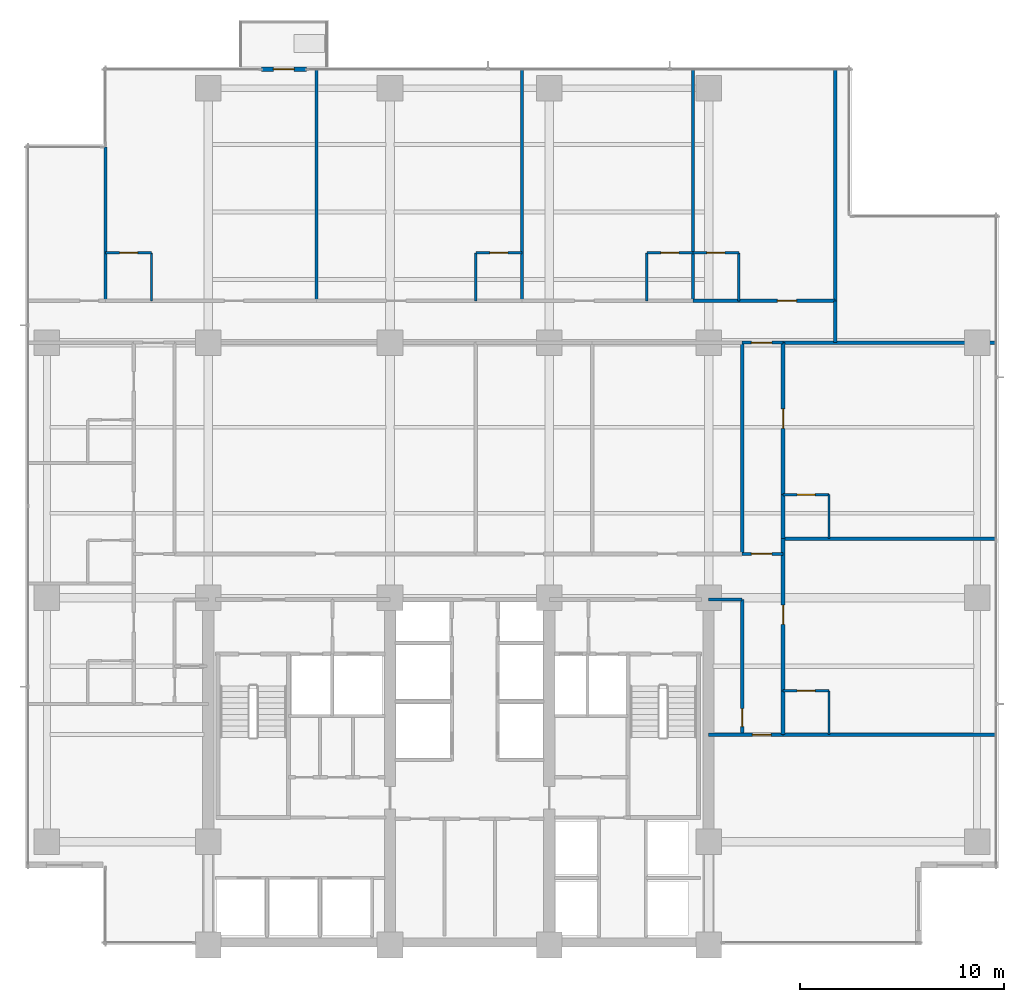
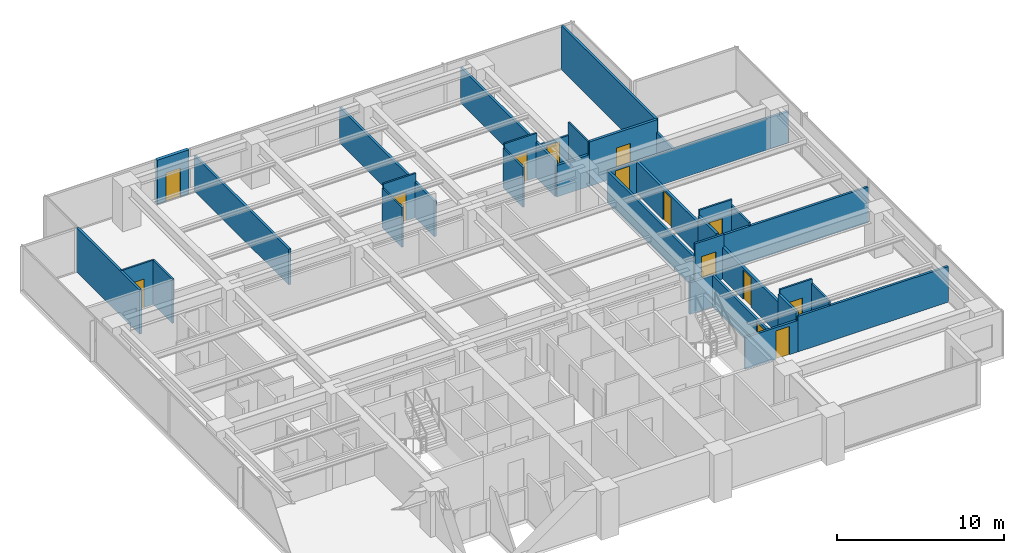
# One storey, part 11 of 18: 34 walls, 14 doors, 14 openings.
"""IFC4 building model written with IfcOpenShell, lengths in metres."""

import ifcopenshell
import ifcopenshell.guid

model = None  # the IFC model being written
_history = None  # IfcOwnerHistory: only IFC2X3 demands one
_inside = {}  # id of a spatial element -> (the spatial element, [elements in it])
_under = {}  # id of a project, library or spatial element -> (it, [spatial elements below it])
_declared = {}  # id of a project -> (the project, [libraries it declares])
_typed = {}  # id of a type object -> (the type object, [elements of that type])
_made_of = {}  # id of a material, layer set ... -> (it, [elements and type objects made of it])


def new_model(schema):
    """Start an empty IFC model of exactly this schema.

    Asked for "IFC4X3", IfcOpenShell would pick the latest addendum, in which some entities
    have other attributes; the version numbers below select the first issue.
    IFC2X3 requires an IfcOwnerHistory on every rooted entity: one is made here for all.
    """
    global model, _history
    if schema == "IFC4X3":
        model = ifcopenshell.file(schema_version=(4, 3, 0, 0))
    else:
        model = ifcopenshell.file(schema=schema)
    _inside.clear()
    _under.clear()
    _declared.clear()
    _typed.clear()
    _made_of.clear()
    _history = None
    if model.schema == "IFC2X3":
        org = make("IfcOrganization", Name="unknown")
        user = make(
            "IfcPersonAndOrganization",
            ThePerson=make("IfcPerson", FamilyName="unknown"),
            TheOrganization=org,
        )
        app = make(
            "IfcApplication",
            ApplicationDeveloper=org,
            Version="unknown",
            ApplicationFullName="unknown",
            ApplicationIdentifier="unknown",
        )
        _history = make(
            "IfcOwnerHistory",
            OwningUser=user,
            OwningApplication=app,
            ChangeAction="ADDED",
            CreationDate=0,
        )
    return model


def make(cls, **values):
    """One entity of the class cls with the attributes given. An attribute that is None is left unset."""
    return model.create_entity(
        cls, **{name: value for name, value in values.items() if value is not None}
    )


def rooted(cls, **values):
    """An entity with a GlobalId (a new one), such as an element, a storey or a relation."""
    return make(cls, GlobalId=ifcopenshell.guid.new(), OwnerHistory=_history, **values)


def si_unit(unit_type, name, prefix=None):
    """IfcSIUnit, for example si_unit("LENGTHUNIT", "METRE", prefix="MILLI")."""
    return make("IfcSIUnit", UnitType=unit_type, Prefix=prefix, Name=name)


def assignment(units):
    """IfcUnitAssignment: the units of a project."""
    return None if units is None else make("IfcUnitAssignment", Units=units)


def point(xyz):
    """IfcCartesianPoint."""
    return None if xyz is None else make("IfcCartesianPoint", Coordinates=xyz)


def direction(xyz):
    """IfcDirection."""
    return None if xyz is None else make("IfcDirection", DirectionRatios=xyz)


def frame(location, z_axis=None, x_axis=None):
    """IfcAxis2Placement3D, a coordinate frame: its origin and axes. An axis left out is left unset."""
    return make(
        "IfcAxis2Placement3D",
        Location=point(location),
        Axis=direction(z_axis),
        RefDirection=direction(x_axis),
    )


def frame_2d(location, x_axis=None):
    """IfcAxis2Placement2D, a coordinate frame in the plane: its origin and x axis."""
    return make(
        "IfcAxis2Placement2D", Location=point(location), RefDirection=direction(x_axis)
    )


def origin():
    """The frame at (0, 0, 0) with its axes left unset."""
    return frame((0.0, 0.0, 0.0))


def place(relative_to, where):
    """IfcLocalPlacement: puts the frame where relative to a parent placement (None: the world)."""
    return make(
        "IfcLocalPlacement", PlacementRelTo=relative_to, RelativePlacement=where
    )


def context(
    kind, dimensions, precision=None, world=None, true_north=None, identifier=None
):
    """IfcGeometricRepresentationContext, for example the 3D "Model" context."""
    return make(
        "IfcGeometricRepresentationContext",
        ContextIdentifier=identifier,
        ContextType=kind,
        CoordinateSpaceDimension=dimensions,
        Precision=precision,
        WorldCoordinateSystem=world,
        TrueNorth=true_north,
    )


def subcontext(parent, identifier, kind, view, scale=None):
    """IfcGeometricRepresentationSubContext, for example "Body" below "Model"."""
    return make(
        "IfcGeometricRepresentationSubContext",
        ContextIdentifier=identifier,
        ContextType=kind,
        ParentContext=parent,
        TargetScale=scale,
        TargetView=view,
    )


def project(units=None, contexts=None):
    """IfcProject with its units and contexts."""
    return rooted(
        "IfcProject",
        Name="project",
        RepresentationContexts=contexts,
        UnitsInContext=assignment(units),
    )


def spatial(cls, under=None, at=None, **own):
    """A site, building, storey or space (cls), placed at a placement, below another one or the project."""
    s = rooted(cls, ObjectPlacement=at, **own)
    if under is not None:
        _under.setdefault(under.id(), (under, []))[1].append(s)
    return s


def profile(cls, at=None, kind="AREA", **sizes):
    """A parametric profile (cls). Its sizes go by their IFC names, for example OverallWidth=200.0."""
    return make(cls, ProfileType=kind, Position=at, **sizes)


def rectangle(**sizes):
    """IfcRectangleProfileDef."""
    return profile("IfcRectangleProfileDef", **sizes)


def extrude(swept, where, along, depth):
    """IfcExtrudedAreaSolid: the profile swept, set in the frame where, extruded along a direction by depth."""
    return make(
        "IfcExtrudedAreaSolid",
        SweptArea=swept,
        Position=where,
        ExtrudedDirection=direction(along),
        Depth=depth,
    )


def shape(context_of_items, identifier, shape_type, items):
    """IfcShapeRepresentation: the items that make up one representation, for example the "Body"."""
    return make(
        "IfcShapeRepresentation",
        ContextOfItems=context_of_items,
        RepresentationIdentifier=identifier,
        RepresentationType=shape_type,
        Items=items,
    )


def material(Name=None, Category=None):
    """IfcMaterial."""
    return make("IfcMaterial", Name=Name, Category=Category)


def layer(
    of_material, thickness, ventilated=None, Name=None, Category=None, Priority=None
):
    """IfcMaterialLayer: one layer of a wall or slab, of a material (None: an air gap)."""
    return make(
        "IfcMaterialLayer",
        Material=of_material,
        LayerThickness=thickness,
        IsVentilated=ventilated,
        Name=Name,
        Category=Category,
        Priority=Priority,
    )


def layer_set(layers, Name=None):
    """IfcMaterialLayerSet."""
    return make("IfcMaterialLayerSet", MaterialLayers=layers, LayerSetName=Name)


def made_of(thing, what):
    """Note that an element or type object is made of a material, layer set ...; save() writes the relation."""
    if what is not None:
        _made_of.setdefault(what.id(), (what, []))[1].append(thing)
    return thing


def type_object(cls, material=None, **own):
    """A type object (cls), such as IfcWallType, which elements share."""
    return made_of(rooted(cls, **own), material)


def element(
    cls,
    number,
    at=None,
    inside=None,
    cuts=None,
    type_object=None,
    material=None,
    context=None,
    identifier="Body",
    shape_type=None,
    held_by="IfcProductDefinitionShape",
    body=None,
    shapes=None,
    **own,
):
    """One element of the class cls, such as IfcWall. Its Tag is "e" and its number.

    at: its placement. inside: the storey or other place that contains it. cuts: it is an
    opening in that element (IfcRelVoidsElement). A single representation is given by context,
    identifier, shape_type and body (its items); several are given by shapes. held_by: the class
    of the entity that holds the representations. save() writes the other relations.
    """
    e = rooted(cls, Tag="e%d" % number, ObjectPlacement=at, **own)
    if body is not None:
        shapes = [shape(context, identifier, shape_type, body)]
    if shapes is not None:
        e.Representation = make(held_by, Representations=shapes)
    if inside is not None:
        _inside.setdefault(inside.id(), (inside, []))[1].append(e)
    if cuts is not None:
        rooted(
            "IfcRelVoidsElement", RelatingBuildingElement=cuts, RelatedOpeningElement=e
        )
    if type_object is not None:
        _typed.setdefault(type_object.id(), (type_object, []))[1].append(e)
    return made_of(e, material)


def fill(opening, filler):
    """IfcRelFillsElement: the door or window that sits in an opening."""
    return rooted(
        "IfcRelFillsElement",
        RelatingOpeningElement=opening,
        RelatedBuildingElement=filler,
    )


def aggregate(whole, parts):
    """IfcRelAggregates: a whole, such as a stair, and the parts it consists of."""
    return rooted("IfcRelAggregates", RelatingObject=whole, RelatedObjects=parts)


def save(model, path):
    """Write the relations noted so far, then the file.

    IfcRelAggregates (storeys below a building ...), IfcRelContainedInSpatialStructure (elements
    in a storey), IfcRelDefinesByType, IfcRelAssociatesMaterial and IfcRelDeclares: one each for
    every whole, place, type object, material and project.
    """
    for whole, parts in _under.values():
        aggregate(whole, parts)
    for where, things in _inside.values():
        rooted(
            "IfcRelContainedInSpatialStructure",
            RelatedElements=things,
            RelatingStructure=where,
        )
    for kind, things in _typed.values():
        rooted("IfcRelDefinesByType", RelatedObjects=things, RelatingType=kind)
    for what, things in _made_of.values():
        rooted("IfcRelAssociatesMaterial", RelatedObjects=things, RelatingMaterial=what)
    for by, libraries in _declared.values():
        rooted("IfcRelDeclares", RelatingContext=by, RelatedDefinitions=libraries)
    model.write(path)


model = new_model("IFC4")

# Units and contexts
model_context = context("Model", 3, precision=1e-05, world=origin(), true_north=direction((0.0, 1.0)))
body_context = subcontext(model_context, "Body", "Model", "MODEL_VIEW")
ifc_project = project(units=[si_unit("LENGTHUNIT", "METRE"), si_unit("AREAUNIT", "SQUARE_METRE"), si_unit("VOLUMEUNIT", "CUBIC_METRE"), si_unit("PLANEANGLEUNIT", "RADIAN"), si_unit("MASSUNIT", "GRAM", prefix="KILO")], contexts=[model_context])

# Site, building, storey
site_placement = place(None, origin())
site = spatial("IfcSite", under=ifc_project, at=site_placement, CompositionType="ELEMENT")
building_placement = place(site_placement, origin())
building = spatial("IfcBuilding", under=site, at=building_placement, Name="Qalmaran Belvedere Hotel", CompositionType="ELEMENT")
storey_placement = place(building_placement, frame((0.0, 0.0, 95.199951171875)))
storey = spatial("IfcBuildingStorey", under=building, at=storey_placement, Name="L23", CompositionType="ELEMENT", Elevation=95.199951171875)

# Wall, opening, door
ifc_material_1 = material(Name="Anodised Bronze Cladding")
ifc_layer_1 = layer(ifc_material_1, 0.22509765625, Name="Anodised Bronze Cladding")
ifc_layer_set_1 = layer_set([ifc_layer_1], Name="Anodised Bronze Cladding")
wall_type_1 = type_object("IfcWallType", Name="WL-BAL-PORT-225", PredefinedType="SOLIDWALL", material=ifc_layer_set_1)
wall_1_placement = place(storey_placement, frame((22.89990234375, 46.3798828125, 0.0), z_axis=(0.0, 0.0, 1.0), x_axis=(1.0, 0.0, 0.0)))
wall_1 = element("IfcWall", 1, at=wall_1_placement, inside=storey, type_object=wall_type_1, Name="L23 Tree Balcony Door Portal", PredefinedType="SOLIDWALL", context=body_context, shape_type="SweptSolid", body=[
    extrude(rectangle(XDim=2.2001953125, YDim=0.22509765625, at=frame_2d((1.10009765625, 0.0))), origin(), (0.0, 0.0, 1.0), 3.239990234375),
])
opening_1_placement = place(wall_1_placement, frame((0.590087890625, 0.0, 0.0)))
opening_1 = element("IfcOpeningElement", 2, at=opening_1_placement, cuts=wall_1, Name="Opening BL-102", PredefinedType="OPENING", context=body_context, shape_type="SweptSolid", body=[
    extrude(rectangle(XDim=1.02001953125, YDim=2.10009765625, at=frame_2d((0.510009765625, 1.050048828125))), frame((0.0, 0.12255859375, 0.0), z_axis=(0.0, -1.0, 0.0), x_axis=(1.0, 0.0, 0.0)), (0.0, 0.0, 1.0), 0.2451171875),
])
ifc_material_2 = material(Name="Anodised Bronze Aluminium", Category="aluminium")
door_type_1 = type_object("IfcDoorType", Name="DR-BAL-1020X2100", OperationType="NOTDEFINED", PredefinedType="DOOR", material=ifc_material_2)
door_1_placement = place(opening_1_placement, origin())
door_1 = element("IfcDoor", 3, at=door_1_placement, inside=storey, type_object=door_type_1, Name="L23 Planted Tree Balcony Door", OperationType="SINGLE_SWING_RIGHT", OverallHeight=2.10009765625, OverallWidth=1.02001953125, PredefinedType="DOOR", context=body_context, shape_type="SweptSolid", body=[
    extrude(rectangle(XDim=1.02001953125, YDim=2.10009765625, at=frame_2d((0.510009765625, 1.050048828125))), frame((0.0, 0.02490234375, 0.0), z_axis=(0.0, -1.0, 0.0), x_axis=(1.0, 0.0, 0.0)), (0.0, 0.0, 1.0), 0.050048828125),
])
fill(opening_1, door_1)

ifc_material_3 = material(Name="Moisture-Resistant Gypsum")
ifc_layer_2 = layer(ifc_material_3, 0.1201171875, Name="Moisture-Resistant Gypsum")
ifc_layer_set_2 = layer_set([ifc_layer_2], Name="Moisture-Resistant Gypsum")
wall_type_2 = type_object("IfcWallType", Name="WL-INT-120-BATH", PredefinedType="PARTITIONING", material=ifc_layer_set_2)
wall_2_placement = place(storey_placement, frame((15.27001953125, 37.39990234375, 0.0), z_axis=(0.0, 0.0, 1.0), x_axis=(1.0, 0.0, 0.0)))
wall_2 = element("IfcWall", 4, at=wall_2_placement, inside=storey, type_object=wall_type_2, Name="L23 Partition WL-L23-NBN00", PredefinedType="PARTITIONING", context=body_context, shape_type="SweptSolid", body=[
    extrude(rectangle(XDim=2.25, YDim=0.1201171875, at=frame_2d((1.125, 0.0))), origin(), (0.0, 0.0, 1.0), 3.239990234375),
])
opening_2_placement = place(wall_2_placement, frame((1.56494140625, 0.0, 0.0), z_axis=(0.0, 0.0, 1.0), x_axis=(-1.0, 0.0, 0.0)))
opening_2 = element("IfcOpeningElement", 5, at=opening_2_placement, cuts=wall_2, Name="Opening D-BATH", PredefinedType="OPENING", context=body_context, shape_type="SweptSolid", body=[
    extrude(rectangle(XDim=0.8798828125, YDim=2.080078125, at=frame_2d((0.43994140625, 1.0400390625))), frame((0.0, 0.070068359375, 0.0), z_axis=(0.0, -1.0, 0.0), x_axis=(1.0, 0.0, 0.0)), (0.0, 0.0, 1.0), 0.14013671875),
])
ifc_material_4 = material(Name="Engineered Oak Veneer")
door_type_2 = type_object("IfcDoorType", Name="DR-INT-BATH-880X2080", OperationType="NOTDEFINED", PredefinedType="DOOR", material=ifc_material_4)
door_2_placement = place(opening_2_placement, origin())
door_2 = element("IfcDoor", 6, at=door_2_placement, inside=storey, type_object=door_type_2, Name="L23 Ensuite Bathroom Door N01", OperationType="SINGLE_SWING_LEFT", OverallHeight=2.080078125, OverallWidth=0.8798828125, PredefinedType="DOOR", context=body_context, shape_type="SweptSolid", body=[
    extrude(rectangle(XDim=0.8798828125, YDim=2.080078125, at=frame_2d((0.43994140625, 1.0400390625))), frame((0.0, 0.02490234375, 0.0), z_axis=(0.0, -1.0, 0.0), x_axis=(1.0, 0.0, 0.0)), (0.0, 0.0, 1.0), 0.050048828125),
])
fill(opening_2, door_2)

# Wall
wall_3_placement = place(storey_placement, frame((17.52001953125, 35.050048828125, 0.0), z_axis=(0.0, 0.0, 1.0), x_axis=(0.0, 1.0, 0.0)))
element("IfcWall", 7, at=wall_3_placement, inside=storey, type_object=wall_type_2, Name="L23 Partition WL-L23-NBS00", PredefinedType="PARTITIONING", context=body_context, shape_type="SweptSolid", body=[
    extrude(rectangle(XDim=2.349853515625, YDim=0.1201171875, at=frame_2d((1.1748046875, 0.0))), origin(), (0.0, 0.0, 1.0), 3.239990234375),
])

# Wall, opening, door
wall_4_placement = place(storey_placement, frame((33.40966796875, 37.39990234375, 0.0), z_axis=(0.0, 0.0, 1.0), x_axis=(1.0, 0.0, 0.0)))
wall_4 = element("IfcWall", 8, at=wall_4_placement, inside=storey, type_object=wall_type_2, Name="L23 Partition WL-L23-NBN01", PredefinedType="PARTITIONING", context=body_context, shape_type="SweptSolid", body=[
    extrude(rectangle(XDim=2.25, YDim=0.1201171875, at=frame_2d((1.125, 0.0))), origin(), (0.0, 0.0, 1.0), 3.239990234375),
])
opening_3_placement = place(wall_4_placement, frame((1.56494140625, 0.0, 0.0), z_axis=(0.0, 0.0, 1.0), x_axis=(-1.0, 0.0, 0.0)))
opening_3 = element("IfcOpeningElement", 9, at=opening_3_placement, cuts=wall_4, Name="Opening D-BATH", PredefinedType="OPENING", context=body_context, shape_type="SweptSolid", body=[
    extrude(rectangle(XDim=0.8798828125, YDim=2.080078125, at=frame_2d((0.43994140625, 1.0400390625))), frame((0.0, 0.070068359375, 0.0), z_axis=(0.0, -1.0, 0.0), x_axis=(1.0, 0.0, 0.0)), (0.0, 0.0, 1.0), 0.14013671875),
])
door_3_placement = place(opening_3_placement, origin())
door_3 = element("IfcDoor", 10, at=door_3_placement, inside=storey, type_object=door_type_2, Name="L23 Ensuite Bathroom Door N02", OperationType="SINGLE_SWING_LEFT", OverallHeight=2.080078125, OverallWidth=0.8798828125, PredefinedType="DOOR", context=body_context, shape_type="SweptSolid", body=[
    extrude(rectangle(XDim=0.8798828125, YDim=2.080078125, at=frame_2d((0.43994140625, 1.0400390625))), frame((0.0, 0.02490234375, 0.0), z_axis=(0.0, -1.0, 0.0), x_axis=(1.0, 0.0, 0.0)), (0.0, 0.0, 1.0), 0.050048828125),
])
fill(opening_3, door_3)

# Wall
wall_5_placement = place(storey_placement, frame((33.40966796875, 35.050048828125, 0.0), z_axis=(0.0, 0.0, 1.0), x_axis=(0.0, 1.0, 0.0)))
element("IfcWall", 11, at=wall_5_placement, inside=storey, type_object=wall_type_2, Name="L23 Partition WL-L23-NBS01", PredefinedType="PARTITIONING", context=body_context, shape_type="SweptSolid", body=[
    extrude(rectangle(XDim=2.349853515625, YDim=0.1201171875, at=frame_2d((1.1748046875, 0.0))), origin(), (0.0, 0.0, 1.0), 2.922119140625),
])

# Wall, opening, door
wall_6_placement = place(storey_placement, frame((41.783935546875, 37.39990234375, 0.0), z_axis=(0.0, 0.0, 1.0), x_axis=(1.0, 0.0, 0.0)))
wall_6 = element("IfcWall", 12, at=wall_6_placement, inside=storey, type_object=wall_type_2, Name="L23 Partition WL-L23-NBN02", PredefinedType="PARTITIONING", context=body_context, shape_type="SweptSolid", body=[
    extrude(rectangle(XDim=2.25, YDim=0.1201171875, at=frame_2d((1.125, 0.0))), origin(), (0.0, 0.0, 1.0), 3.239990234375),
])
opening_4_placement = place(wall_6_placement, frame((1.56494140625, 0.0, 0.0), z_axis=(0.0, 0.0, 1.0), x_axis=(-1.0, 0.0, 0.0)))
opening_4 = element("IfcOpeningElement", 13, at=opening_4_placement, cuts=wall_6, Name="Opening D-BATH", PredefinedType="OPENING", context=body_context, shape_type="SweptSolid", body=[
    extrude(rectangle(XDim=0.8798828125, YDim=2.080078125, at=frame_2d((0.43994140625, 1.0400390625))), frame((0.0, 0.070068359375, 0.0), z_axis=(0.0, -1.0, 0.0), x_axis=(1.0, 0.0, 0.0)), (0.0, 0.0, 1.0), 0.14013671875),
])
door_4_placement = place(opening_4_placement, origin())
door_4 = element("IfcDoor", 14, at=door_4_placement, inside=storey, type_object=door_type_2, Name="L23 Ensuite Bathroom Door N03", OperationType="SINGLE_SWING_LEFT", OverallHeight=2.080078125, OverallWidth=0.8798828125, PredefinedType="DOOR", context=body_context, shape_type="SweptSolid", body=[
    extrude(rectangle(XDim=0.8798828125, YDim=2.080078125, at=frame_2d((0.43994140625, 1.0400390625))), frame((0.0, 0.02490234375, 0.0), z_axis=(0.0, -1.0, 0.0), x_axis=(1.0, 0.0, 0.0)), (0.0, 0.0, 1.0), 0.050048828125),
])
fill(opening_4, door_4)

# Wall
wall_7_placement = place(storey_placement, frame((41.783935546875, 35.050048828125, 0.0), z_axis=(0.0, 0.0, 1.0), x_axis=(0.0, 1.0, 0.0)))
element("IfcWall", 15, at=wall_7_placement, inside=storey, type_object=wall_type_2, Name="L23 Partition WL-L23-NBS02", PredefinedType="PARTITIONING", context=body_context, shape_type="SweptSolid", body=[
    extrude(rectangle(XDim=2.349853515625, YDim=0.1201171875, at=frame_2d((1.1748046875, 0.0))), origin(), (0.0, 0.0, 1.0), 2.922119140625),
])

# Wall, opening, door
wall_8_placement = place(storey_placement, frame((44.033935546875, 37.39990234375, 0.0), z_axis=(0.0, 0.0, 1.0), x_axis=(1.0, 0.0, 0.0)))
wall_8 = element("IfcWall", 16, at=wall_8_placement, inside=storey, type_object=wall_type_2, Name="L23 Partition WL-L23-NBN03", PredefinedType="PARTITIONING", context=body_context, shape_type="SweptSolid", body=[
    extrude(rectangle(XDim=2.25, YDim=0.1201171875, at=frame_2d((1.125, 0.0))), origin(), (0.0, 0.0, 1.0), 2.31298828125),
])
opening_5_placement = place(wall_8_placement, frame((1.56494140625, 0.0, 0.0), z_axis=(0.0, 0.0, 1.0), x_axis=(-1.0, 0.0, 0.0)))
opening_5 = element("IfcOpeningElement", 17, at=opening_5_placement, cuts=wall_8, Name="Opening D-BATH", PredefinedType="OPENING", context=body_context, shape_type="SweptSolid", body=[
    extrude(rectangle(XDim=0.8798828125, YDim=2.080078125, at=frame_2d((0.43994140625, 1.0400390625))), frame((0.0, 0.070068359375, 0.0), z_axis=(0.0, -1.0, 0.0), x_axis=(1.0, 0.0, 0.0)), (0.0, 0.0, 1.0), 0.14013671875),
])
door_5_placement = place(opening_5_placement, origin())
door_5 = element("IfcDoor", 18, at=door_5_placement, inside=storey, type_object=door_type_2, Name="L23 Ensuite Bathroom Door N04", OperationType="SINGLE_SWING_LEFT", OverallHeight=2.080078125, OverallWidth=0.8798828125, PredefinedType="DOOR", context=body_context, shape_type="SweptSolid", body=[
    extrude(rectangle(XDim=0.8798828125, YDim=2.080078125, at=frame_2d((0.43994140625, 1.0400390625))), frame((0.0, 0.02490234375, 0.0), z_axis=(0.0, -1.0, 0.0), x_axis=(1.0, 0.0, 0.0)), (0.0, 0.0, 1.0), 0.050048828125),
])
fill(opening_5, door_5)

# Wall
wall_9_placement = place(storey_placement, frame((46.283935546875, 35.050048828125, 0.0), z_axis=(0.0, 0.0, 1.0), x_axis=(0.0, 1.0, 0.0)))
element("IfcWall", 19, at=wall_9_placement, inside=storey, type_object=wall_type_2, Name="L23 Partition WL-L23-NBS03", PredefinedType="PARTITIONING", context=body_context, shape_type="SweptSolid", body=[
    extrude(rectangle(XDim=2.349853515625, YDim=0.1201171875, at=frame_2d((1.1748046875, 0.0))), origin(), (0.0, 0.0, 1.0), 3.239990234375),
])

# Wall, opening, door
wall_10_placement = place(storey_placement, frame((48.449951171875, 15.949951171875, 0.0), z_axis=(0.0, 0.0, 1.0), x_axis=(1.0, 0.0, 0.0)))
wall_10 = element("IfcWall", 20, at=wall_10_placement, inside=storey, type_object=wall_type_2, Name="L23 Partition WL-L23-EBN00", PredefinedType="PARTITIONING", context=body_context, shape_type="SweptSolid", body=[
    extrude(rectangle(XDim=2.25, YDim=0.1201171875, at=frame_2d((1.125, 0.0))), origin(), (0.0, 0.0, 1.0), 3.239990234375),
])
opening_6_placement = place(wall_10_placement, frame((1.56494140625, 0.0, 0.0), z_axis=(0.0, 0.0, 1.0), x_axis=(-1.0, 0.0, 0.0)))
opening_6 = element("IfcOpeningElement", 21, at=opening_6_placement, cuts=wall_10, Name="Opening D-BATH", PredefinedType="OPENING", context=body_context, shape_type="SweptSolid", body=[
    extrude(rectangle(XDim=0.8798828125, YDim=2.080078125, at=frame_2d((0.43994140625, 1.0400390625))), frame((0.0, 0.070068359375, 0.0), z_axis=(0.0, -1.0, 0.0), x_axis=(1.0, 0.0, 0.0)), (0.0, 0.0, 1.0), 0.14013671875),
])
door_6_placement = place(opening_6_placement, origin())
door_6 = element("IfcDoor", 22, at=door_6_placement, inside=storey, type_object=door_type_2, Name="L23 E Ensuite Door 01", OperationType="SINGLE_SWING_LEFT", OverallHeight=2.080078125, OverallWidth=0.8798828125, PredefinedType="DOOR", context=body_context, shape_type="SweptSolid", body=[
    extrude(rectangle(XDim=0.8798828125, YDim=2.080078125, at=frame_2d((0.43994140625, 1.0400390625))), frame((0.0, 0.02490234375, 0.0), z_axis=(0.0, -1.0, 0.0), x_axis=(1.0, 0.0, 0.0)), (0.0, 0.0, 1.0), 0.050048828125),
])
fill(opening_6, door_6)

# Wall
wall_11_placement = place(storey_placement, frame((50.699951171875, 13.800048828125, 0.0), z_axis=(0.0, 0.0, 1.0), x_axis=(0.0, 1.0, 0.0)))
element("IfcWall", 23, at=wall_11_placement, inside=storey, type_object=wall_type_2, Name="L23 Partition WL-L23-EBS00", PredefinedType="PARTITIONING", context=body_context, shape_type="SweptSolid", body=[
    extrude(rectangle(XDim=2.14990234375, YDim=0.1201171875, at=frame_2d((1.074951171875, 0.0))), origin(), (0.0, 0.0, 1.0), 2.922119140625),
])

# Wall, opening, door
wall_12_placement = place(storey_placement, frame((48.449951171875, 25.550048828125, 0.0), z_axis=(0.0, 0.0, 1.0), x_axis=(1.0, 0.0, 0.0)))
wall_12 = element("IfcWall", 24, at=wall_12_placement, inside=storey, type_object=wall_type_2, Name="L23 Partition WL-L23-EBN01", PredefinedType="PARTITIONING", context=body_context, shape_type="SweptSolid", body=[
    extrude(rectangle(XDim=2.25, YDim=0.1201171875, at=frame_2d((1.125, 0.0))), origin(), (0.0, 0.0, 1.0), 3.239990234375),
])
opening_7_placement = place(wall_12_placement, frame((1.56494140625, 0.0, 0.0), z_axis=(0.0, 0.0, 1.0), x_axis=(-1.0, 0.0, 0.0)))
opening_7 = element("IfcOpeningElement", 25, at=opening_7_placement, cuts=wall_12, Name="Opening D-BATH", PredefinedType="OPENING", context=body_context, shape_type="SweptSolid", body=[
    extrude(rectangle(XDim=0.8798828125, YDim=2.080078125, at=frame_2d((0.43994140625, 1.0400390625))), frame((0.0, 0.070068359375, 0.0), z_axis=(0.0, -1.0, 0.0), x_axis=(1.0, 0.0, 0.0)), (0.0, 0.0, 1.0), 0.14013671875),
])
door_7_placement = place(opening_7_placement, origin())
door_7 = element("IfcDoor", 26, at=door_7_placement, inside=storey, type_object=door_type_2, Name="L23 E Ensuite Door 02", OperationType="SINGLE_SWING_LEFT", OverallHeight=2.080078125, OverallWidth=0.8798828125, PredefinedType="DOOR", context=body_context, shape_type="SweptSolid", body=[
    extrude(rectangle(XDim=0.8798828125, YDim=2.080078125, at=frame_2d((0.43994140625, 1.0400390625))), frame((0.0, 0.02490234375, 0.0), z_axis=(0.0, -1.0, 0.0), x_axis=(1.0, 0.0, 0.0)), (0.0, 0.0, 1.0), 0.050048828125),
])
fill(opening_7, door_7)

# Wall
wall_13_placement = place(storey_placement, frame((50.699951171875, 23.39990234375, 0.0), z_axis=(0.0, 0.0, 1.0), x_axis=(0.0, 1.0, 0.0)))
element("IfcWall", 27, at=wall_13_placement, inside=storey, type_object=wall_type_2, Name="L23 Partition WL-L23-EBS01", PredefinedType="PARTITIONING", context=body_context, shape_type="SweptSolid", body=[
    extrude(rectangle(XDim=2.150146484375, YDim=0.1201171875, at=frame_2d((1.0751953125, 0.0))), origin(), (0.0, 0.0, 1.0), 2.818115234375),
])

# Wall, opening, door
ifc_material_5 = material(Name="Gypsum Stud Partition")
ifc_layer_3 = layer(ifc_material_5, 0.14990234375, Name="Gypsum Stud Partition")
ifc_layer_set_3 = layer_set([ifc_layer_3], Name="Gypsum Stud Partition")
wall_type_3 = type_object("IfcWallType", Name="WL-INT-150-EI60", PredefinedType="PARTITIONING", material=ifc_layer_set_3)
wall_14_placement = place(storey_placement, frame((46.449951171875, 22.64990234375, 0.0), z_axis=(0.0, 0.0, 1.0), x_axis=(1.0, 0.0, 0.0)))
wall_14 = element("IfcWall", 28, at=wall_14_placement, inside=storey, type_object=wall_type_3, Name="L23 Partition WL-L23-XCE1", PredefinedType="PARTITIONING", context=body_context, shape_type="SweptSolid", body=[
    extrude(rectangle(XDim=2.0, YDim=0.14990234375, at=frame_2d((1.0, 0.0))), origin(), (0.0, 0.0, 1.0), 3.239990234375),
])
opening_8_placement = place(wall_14_placement, frame((0.449951171875, 0.0, 0.0)))
opening_8 = element("IfcOpeningElement", 29, at=opening_8_placement, cuts=wall_14, Name="Opening FD90B", PredefinedType="OPENING", context=body_context, shape_type="SweptSolid", body=[
    extrude(rectangle(XDim=1.0, YDim=2.14990234375, at=frame_2d((0.5, 1.074951171875))), frame((0.0, 0.0849609375, 0.0), z_axis=(0.0, -1.0, 0.0), x_axis=(1.0, 0.0, 0.0)), (0.0, 0.0, 1.0), 0.169921875),
])
ifc_material_6 = material(Name="Steel S355JR", Category="steel")
door_type_3 = type_object("IfcDoorType", Name="DR-FD90B-1000X2150", OperationType="NOTDEFINED", PredefinedType="DOOR", material=ifc_material_6)
door_8_placement = place(opening_8_placement, origin())
door_8 = element("IfcDoor", 30, at=door_8_placement, inside=storey, type_object=door_type_3, Name="L23 East Corridor Smoke Door S", OperationType="SINGLE_SWING_RIGHT", OverallHeight=2.14990234375, OverallWidth=1.0, PredefinedType="DOOR", context=body_context, shape_type="SweptSolid", body=[
    extrude(rectangle(XDim=1.0, YDim=2.14990234375, at=frame_2d((0.5, 1.074951171875))), frame((0.0, 0.02490234375, 0.0), z_axis=(0.0, -1.0, 0.0), x_axis=(1.0, 0.0, 0.0)), (0.0, 0.0, 1.0), 0.050048828125),
])
fill(opening_8, door_8)

wall_15_placement = place(storey_placement, frame((46.449951171875, 33.0, 0.0), z_axis=(0.0, 0.0, 1.0), x_axis=(1.0, 0.0, 0.0)))
wall_15 = element("IfcWall", 31, at=wall_15_placement, inside=storey, type_object=wall_type_3, Name="L23 Partition WL-L23-XCE2", PredefinedType="PARTITIONING", context=body_context, shape_type="SweptSolid", body=[
    extrude(rectangle(XDim=2.0, YDim=0.14990234375, at=frame_2d((1.0, 0.0))), origin(), (0.0, 0.0, 1.0), 2.31298828125),
])
opening_9_placement = place(wall_15_placement, frame((0.449951171875, 0.0, 0.0)))
opening_9 = element("IfcOpeningElement", 32, at=opening_9_placement, cuts=wall_15, Name="Opening FD90B", PredefinedType="OPENING", context=body_context, shape_type="SweptSolid", body=[
    extrude(rectangle(XDim=1.0, YDim=2.14990234375, at=frame_2d((0.5, 1.074951171875))), frame((0.0, 0.0849609375, 0.0), z_axis=(0.0, -1.0, 0.0), x_axis=(1.0, 0.0, 0.0)), (0.0, 0.0, 1.0), 0.169921875),
])
door_9_placement = place(opening_9_placement, origin())
door_9 = element("IfcDoor", 33, at=door_9_placement, inside=storey, type_object=door_type_3, Name="L23 East Corridor Smoke Door N", OperationType="SINGLE_SWING_LEFT", OverallHeight=2.14990234375, OverallWidth=1.0, PredefinedType="DOOR", context=body_context, shape_type="SweptSolid", body=[
    extrude(rectangle(XDim=1.0, YDim=2.14990234375, at=frame_2d((0.5, 1.074951171875))), frame((0.0, 0.02490234375, 0.0), z_axis=(0.0, -1.0, 0.0), x_axis=(1.0, 0.0, 0.0)), (0.0, 0.0, 1.0), 0.050048828125),
])
fill(opening_9, door_9)

ifc_layer_4 = layer(ifc_material_5, 0.159912109375, Name="Gypsum Stud Partition")
ifc_layer_set_4 = layer_set([ifc_layer_4], Name="Gypsum Stud Partition")
wall_type_4 = type_object("IfcWallType", Name="WL-INT-160-EI60", PredefinedType="PARTITIONING", material=ifc_layer_set_4)
wall_16_placement = place(storey_placement, frame((44.800048828125, 13.800048828125, 0.0), z_axis=(0.0, 0.0, 1.0), x_axis=(1.0, 0.0, 0.0)))
wall_16 = element("IfcWall", 34, at=wall_16_placement, inside=storey, type_object=wall_type_4, Name="L23 Partition WL-L23-SERL", PredefinedType="PARTITIONING", context=body_context, shape_type="SweptSolid", body=[
    extrude(rectangle(XDim=3.64990234375, YDim=0.159912109375, at=frame_2d((1.824951171875, 0.0))), origin(), (0.0, 0.0, 1.0), 2.31298828125),
])
opening_10_placement = place(wall_16_placement, frame((3.06982421875, 0.0, 0.0), z_axis=(0.0, 0.0, 1.0), x_axis=(-1.0, 0.0, 0.0)))
opening_10 = element("IfcOpeningElement", 35, at=opening_10_placement, cuts=wall_16, Name="Opening FD60S1", PredefinedType="OPENING", context=body_context, shape_type="SweptSolid", body=[
    extrude(rectangle(XDim=0.919921875, YDim=2.080078125, at=frame_2d((0.4599609375, 1.0400390625))), frame((0.0, 0.08984375, 0.0), z_axis=(0.0, -1.0, 0.0), x_axis=(1.0, 0.0, 0.0)), (0.0, 0.0, 1.0), 0.179931640625),
])
door_type_4 = type_object("IfcDoorType", Name="DR-FD60S-920X2080", OperationType="NOTDEFINED", PredefinedType="DOOR", material=ifc_material_4)
door_10_placement = place(opening_10_placement, origin())
door_10 = element("IfcDoor", 36, at=door_10_placement, inside=storey, type_object=door_type_4, Name="L23 SE Lounge Door", OperationType="SINGLE_SWING_LEFT", OverallHeight=2.080078125, OverallWidth=0.919921875, PredefinedType="DOOR", context=body_context, shape_type="SweptSolid", body=[
    extrude(rectangle(XDim=0.919921875, YDim=2.080078125, at=frame_2d((0.4599609375, 1.0400390625))), frame((0.0, 0.02490234375, 0.0), z_axis=(0.0, -1.0, 0.0), x_axis=(1.0, 0.0, 0.0)), (0.0, 0.0, 1.0), 0.050048828125),
])
fill(opening_10, door_10)

wall_17_placement = place(storey_placement, frame((46.449951171875, 13.800048828125, 0.0), z_axis=(0.0, 0.0, 1.0), x_axis=(0.0, 1.0, 0.0)))
wall_17 = element("IfcWall", 37, at=wall_17_placement, inside=storey, type_object=wall_type_4, Name="L23 Partition WL-L23-ECL", PredefinedType="PARTITIONING", context=body_context, shape_type="SweptSolid", body=[
    extrude(rectangle(XDim=6.619873046875, YDim=0.159912109375, at=frame_2d((3.31005859375, 0.0))), origin(), (0.0, 0.0, 1.0), 2.31298828125),
])
opening_11_placement = place(wall_17_placement, frame((0.39990234375, 0.0, 0.0)))
opening_11 = element("IfcOpeningElement", 38, at=opening_11_placement, cuts=wall_17, Name="Opening FD60B", PredefinedType="OPENING", context=body_context, shape_type="SweptSolid", body=[
    extrude(rectangle(XDim=0.8798828125, YDim=2.080078125, at=frame_2d((0.43994140625, 1.0400390625))), frame((0.0, 0.08984375, 0.0), z_axis=(0.0, -1.0, 0.0), x_axis=(1.0, 0.0, 0.0)), (0.0, 0.0, 1.0), 0.179931640625),
])
door_type_5 = type_object("IfcDoorType", Name="DR-FD60B-880X2080", OperationType="NOTDEFINED", PredefinedType="DOOR", material=ifc_material_6)
door_11_placement = place(opening_11_placement, origin())
door_11 = element("IfcDoor", 39, at=door_11_placement, inside=storey, type_object=door_type_5, Name="L23 East Closet Door", OperationType="SINGLE_SWING_LEFT", OverallHeight=2.080078125, OverallWidth=0.8798828125, PredefinedType="DOOR", context=body_context, shape_type="SweptSolid", body=[
    extrude(rectangle(XDim=0.8798828125, YDim=2.080078125, at=frame_2d((0.43994140625, 1.0400390625))), frame((0.0, 0.02490234375, 0.0), z_axis=(0.0, -1.0, 0.0), x_axis=(1.0, 0.0, 0.0)), (0.0, 0.0, 1.0), 0.050048828125),
])
fill(opening_11, door_11)

# Walls
wall_18_placement = place(storey_placement, frame((44.800048828125, 20.419921875, 0.0), z_axis=(0.0, 0.0, 1.0), x_axis=(1.0, 0.0, 0.0)))
element("IfcWall", 40, at=wall_18_placement, inside=storey, type_object=wall_type_4, Name="L23 Partition WL-L23-ECLN", PredefinedType="PARTITIONING", context=body_context, shape_type="SweptSolid", body=[
    extrude(rectangle(XDim=1.64990234375, YDim=0.159912109375, at=frame_2d((0.824951171875, 0.0))), origin(), (0.0, 0.0, 1.0), 2.31298828125),
])
wall_19_placement = place(storey_placement, frame((51.0, 33.0, 0.0), z_axis=(0.0, 0.0, 1.0), x_axis=(0.0, 1.0, 0.0)))
element("IfcWall", 41, at=wall_19_placement, inside=storey, type_object=wall_type_4, Name="L23 Partition WL-L23-NCGE", PredefinedType="PARTITIONING", context=body_context, shape_type="SweptSolid", body=[
    extrude(rectangle(XDim=2.050048828125, YDim=0.159912109375, at=frame_2d((1.02490234375, 0.0))), origin(), (0.0, 0.0, 1.0), 2.31298828125),
])
wall_20_placement = place(storey_placement, frame((46.449951171875, 22.64990234375, 0.0), z_axis=(0.0, 0.0, 1.0), x_axis=(0.0, 1.0, 0.0)))
element("IfcWall", 42, at=wall_20_placement, inside=storey, type_object=wall_type_4, Name="L23 Partition WL-L23-MIDVR3", PredefinedType="PARTITIONING", context=body_context, shape_type="SweptSolid", body=[
    extrude(rectangle(XDim=10.35009765625, YDim=0.159912109375, at=frame_2d((5.175048828125, 0.0))), origin(), (0.0, 0.0, 1.0), 2.31298828125),
])
wall_21_placement = place(storey_placement, frame((15.27001953125, 35.050048828125, 0.0), z_axis=(0.0, 0.0, 1.0), x_axis=(0.0, 1.0, 0.0)))
element("IfcWall", 43, at=wall_21_placement, inside=storey, type_object=wall_type_4, Name="L23 Partition WL-L23-NUL", PredefinedType="PARTITIONING", context=body_context, shape_type="SweptSolid", body=[
    extrude(rectangle(XDim=7.530029296875, YDim=0.159912109375, at=frame_2d((3.76513671875, 0.0))), origin(), (0.0, 0.0, 1.0), 3.239990234375),
])
for number, where, z_axis, x_axis, name in (
    (44, (25.60009765625, 35.050048828125, 0.0), (0.0, 0.0, 1.0), (0.0, 1.0, 0.0), "L23 Partition WL-L23-NUR00"),
    (45, (35.65966796875, 35.050048828125, 0.0), (0.0, 0.0, 1.0), (0.0, 1.0, 0.0), "L23 Partition WL-L23-NUR01"),
    (46, (44.033935546875, 35.050048828125, 0.0), (0.0, 0.0, 1.0), (0.0, 1.0, 0.0), "L23 Partition WL-L23-NUR02"),
):
    element("IfcWall", number, at=place(storey_placement, frame(where, z_axis=z_axis, x_axis=x_axis)), inside=storey, type_object=wall_type_4, Name=name, PredefinedType="PARTITIONING", context=body_context, shape_type="SweptSolid", body=[
        extrude(rectangle(XDim=11.329833984375, YDim=0.159912109375, at=frame_2d((5.6650390625, 0.0))), origin(), (0.0, 0.0, 1.0), 2.60302734375),
    ])
wall_22_placement = place(storey_placement, frame((51.0, 35.050048828125, 0.0), z_axis=(0.0, 0.0, 1.0), x_axis=(0.0, 1.0, 0.0)))
element("IfcWall", 47, at=wall_22_placement, inside=storey, type_object=wall_type_4, Name="L23 Partition WL-L23-NUR03", PredefinedType="PARTITIONING", context=body_context, shape_type="SweptSolid", body=[
    extrude(rectangle(XDim=11.329833984375, YDim=0.159912109375, at=frame_2d((5.6650390625, 0.0))), origin(), (0.0, 0.0, 1.0), 3.239990234375),
])
for number, where, z_axis, x_axis, name in (
    (48, (48.449951171875, 13.800048828125, 0.0), (0.0, 0.0, 1.0), (1.0, 0.0, 0.0), "L23 Partition WL-L23-EBOT"),
    (49, (48.449951171875, 23.39990234375, 0.0), (0.0, 0.0, 1.0), (1.0, 0.0, 0.0), "L23 Partition WL-L23-EU00"),
):
    element("IfcWall", number, at=place(storey_placement, frame(where, z_axis=z_axis, x_axis=x_axis)), inside=storey, type_object=wall_type_4, Name=name, PredefinedType="PARTITIONING", context=body_context, shape_type="SweptSolid", body=[
        extrude(rectangle(XDim=10.429931640625, YDim=0.159912109375, at=frame_2d((5.21484375, 0.0))), origin(), (0.0, 0.0, 1.0), 2.60302734375),
    ])
wall_23_placement = place(storey_placement, frame((48.449951171875, 33.0, 0.0), z_axis=(0.0, 0.0, 1.0), x_axis=(1.0, 0.0, 0.0)))
element("IfcWall", 50, at=wall_23_placement, inside=storey, type_object=wall_type_4, Name="L23 Partition WL-L23-EU01", PredefinedType="PARTITIONING", context=body_context, shape_type="SweptSolid", body=[
    extrude(rectangle(XDim=10.429931640625, YDim=0.159912109375, at=frame_2d((5.21484375, 0.0))), origin(), (0.0, 0.0, 1.0), 2.31298828125),
])
ifc_layer_5 = layer(ifc_material_5, 0.179931640625, Name="Gypsum Stud Partition")
ifc_layer_set_5 = layer_set([ifc_layer_5], Name="Gypsum Stud Partition")
wall_type_5 = type_object("IfcWallType", Name="WL-INT-180-EI60", PredefinedType="PARTITIONING", material=ifc_layer_set_5)
wall_24_placement = place(storey_placement, frame((44.033935546875, 35.050048828125, 0.0), z_axis=(0.0, 0.0, 1.0), x_axis=(1.0, 0.0, 0.0)))
element("IfcWall", 51, at=wall_24_placement, inside=storey, type_object=wall_type_5, Name="L23 Partition WL-L23-NBC03", PredefinedType="PARTITIONING", context=body_context, shape_type="SweptSolid", body=[
    extrude(rectangle(XDim=2.25, YDim=0.179931640625, at=frame_2d((1.125, 0.0))), origin(), (0.0, 0.0, 1.0), 2.31298828125),
])

# Wall, opening, door
wall_25_placement = place(storey_placement, frame((46.283935546875, 35.050048828125, 0.0), z_axis=(0.0, 0.0, 1.0), x_axis=(1.0, 0.0, 0.0)))
wall_25 = element("IfcWall", 52, at=wall_25_placement, inside=storey, type_object=wall_type_5, Name="L23 Partition WL-L23-NEC03", PredefinedType="PARTITIONING", context=body_context, shape_type="SweptSolid", body=[
    extrude(rectangle(XDim=4.716064453125, YDim=0.179931640625, at=frame_2d((2.35791015625, 0.0))), origin(), (0.0, 0.0, 1.0), 3.239990234375),
])
opening_12_placement = place(wall_25_placement, frame((1.883056640625, 0.0, 0.0)))
opening_12 = element("IfcOpeningElement", 53, at=opening_12_placement, cuts=wall_25, Name="Opening FD60", PredefinedType="OPENING", context=body_context, shape_type="SweptSolid", body=[
    extrude(rectangle(XDim=0.949951171875, YDim=2.14990234375, at=frame_2d((0.47509765625, 1.074951171875))), frame((0.0, 0.10009765625, 0.0), z_axis=(0.0, -1.0, 0.0), x_axis=(1.0, 0.0, 0.0)), (0.0, 0.0, 1.0), 0.199951171875),
])
door_type_6 = type_object("IfcDoorType", Name="DR-FD60-950X2150", OperationType="NOTDEFINED", PredefinedType="DOOR", material=ifc_material_4)
door_12_placement = place(opening_12_placement, origin())
door_12 = element("IfcDoor", 54, at=door_12_placement, inside=storey, type_object=door_type_6, Name="L23 Guest Entrance Door N04", OperationType="SINGLE_SWING_RIGHT", OverallHeight=2.14990234375, OverallWidth=0.949951171875, PredefinedType="DOOR", context=body_context, shape_type="SweptSolid", body=[
    extrude(rectangle(XDim=0.949951171875, YDim=2.14990234375, at=frame_2d((0.47509765625, 1.074951171875))), frame((0.0, 0.02490234375, 0.0), z_axis=(0.0, -1.0, 0.0), x_axis=(1.0, 0.0, 0.0)), (0.0, 0.0, 1.0), 0.050048828125),
])
fill(opening_12, door_12)

# Wall
wall_26_placement = place(storey_placement, frame((48.449951171875, 13.800048828125, 0.0), z_axis=(0.0, 0.0, 1.0), x_axis=(0.0, 1.0, 0.0)))
element("IfcWall", 55, at=wall_26_placement, inside=storey, type_object=wall_type_5, Name="L23 Partition WL-L23-EBC00", PredefinedType="PARTITIONING", context=body_context, shape_type="SweptSolid", body=[
    extrude(rectangle(XDim=2.14990234375, YDim=0.179931640625, at=frame_2d((1.074951171875, 0.0))), origin(), (0.0, 0.0, 1.0), 2.922119140625),
])

# Wall, opening, door
wall_27_placement = place(storey_placement, frame((48.449951171875, 15.949951171875, 0.0), z_axis=(0.0, 0.0, 1.0), x_axis=(0.0, 1.0, 0.0)))
wall_27 = element("IfcWall", 56, at=wall_27_placement, inside=storey, type_object=wall_type_5, Name="L23 Partition WL-L23-EEC00", PredefinedType="PARTITIONING", context=body_context, shape_type="SweptSolid", body=[
    extrude(rectangle(XDim=7.449951171875, YDim=0.179931640625, at=frame_2d((3.72509765625, 0.0))), origin(), (0.0, 0.0, 1.0), 2.31298828125),
])
opening_13_placement = place(wall_27_placement, frame((4.199951171875, 0.0, 0.0), z_axis=(0.0, 0.0, 1.0), x_axis=(-1.0, 0.0, 0.0)))
opening_13 = element("IfcOpeningElement", 57, at=opening_13_placement, cuts=wall_27, Name="Opening FD60", PredefinedType="OPENING", context=body_context, shape_type="SweptSolid", body=[
    extrude(rectangle(XDim=0.949951171875, YDim=2.14990234375, at=frame_2d((0.47509765625, 1.074951171875))), frame((0.0, 0.10009765625, 0.0), z_axis=(0.0, -1.0, 0.0), x_axis=(1.0, 0.0, 0.0)), (0.0, 0.0, 1.0), 0.199951171875),
])
door_13_placement = place(opening_13_placement, origin())
door_13 = element("IfcDoor", 58, at=door_13_placement, inside=storey, type_object=door_type_6, Name="L23 E Wing Door 01", OperationType="SINGLE_SWING_RIGHT", OverallHeight=2.14990234375, OverallWidth=0.949951171875, PredefinedType="DOOR", context=body_context, shape_type="SweptSolid", body=[
    extrude(rectangle(XDim=0.949951171875, YDim=2.14990234375, at=frame_2d((0.47509765625, 1.074951171875))), frame((0.0, 0.02490234375, 0.0), z_axis=(0.0, -1.0, 0.0), x_axis=(1.0, 0.0, 0.0)), (0.0, 0.0, 1.0), 0.050048828125),
])
fill(opening_13, door_13)

# Wall
wall_28_placement = place(storey_placement, frame((48.449951171875, 23.39990234375, 0.0), z_axis=(0.0, 0.0, 1.0), x_axis=(0.0, 1.0, 0.0)))
element("IfcWall", 59, at=wall_28_placement, inside=storey, type_object=wall_type_5, Name="L23 Partition WL-L23-EBC01", PredefinedType="PARTITIONING", context=body_context, shape_type="SweptSolid", body=[
    extrude(rectangle(XDim=2.150146484375, YDim=0.179931640625, at=frame_2d((1.0751953125, 0.0))), origin(), (0.0, 0.0, 1.0), 2.818115234375),
])

# Wall, opening, door
wall_29_placement = place(storey_placement, frame((48.449951171875, 25.550048828125, 0.0), z_axis=(0.0, 0.0, 1.0), x_axis=(0.0, 1.0, 0.0)))
wall_29 = element("IfcWall", 60, at=wall_29_placement, inside=storey, type_object=wall_type_5, Name="L23 Partition WL-L23-EEC01", PredefinedType="PARTITIONING", context=body_context, shape_type="SweptSolid", body=[
    extrude(rectangle(XDim=7.449951171875, YDim=0.179931640625, at=frame_2d((3.72509765625, 0.0))), origin(), (0.0, 0.0, 1.0), 2.31298828125),
])
opening_14_placement = place(wall_29_placement, frame((4.199951171875, 0.0, 0.0), z_axis=(0.0, 0.0, 1.0), x_axis=(-1.0, 0.0, 0.0)))
opening_14 = element("IfcOpeningElement", 61, at=opening_14_placement, cuts=wall_29, Name="Opening FD60", PredefinedType="OPENING", context=body_context, shape_type="SweptSolid", body=[
    extrude(rectangle(XDim=0.949951171875, YDim=2.14990234375, at=frame_2d((0.47509765625, 1.074951171875))), frame((0.0, 0.10009765625, 0.0), z_axis=(0.0, -1.0, 0.0), x_axis=(1.0, 0.0, 0.0)), (0.0, 0.0, 1.0), 0.199951171875),
])
door_14_placement = place(opening_14_placement, origin())
door_14 = element("IfcDoor", 62, at=door_14_placement, inside=storey, type_object=door_type_6, Name="L23 E Wing Door 02", OperationType="SINGLE_SWING_RIGHT", OverallHeight=2.14990234375, OverallWidth=0.949951171875, PredefinedType="DOOR", context=body_context, shape_type="SweptSolid", body=[
    extrude(rectangle(XDim=0.949951171875, YDim=2.14990234375, at=frame_2d((0.47509765625, 1.074951171875))), frame((0.0, 0.02490234375, 0.0), z_axis=(0.0, -1.0, 0.0), x_axis=(1.0, 0.0, 0.0)), (0.0, 0.0, 1.0), 0.050048828125),
])
fill(opening_14, door_14)

save(model, "model.ifc")
